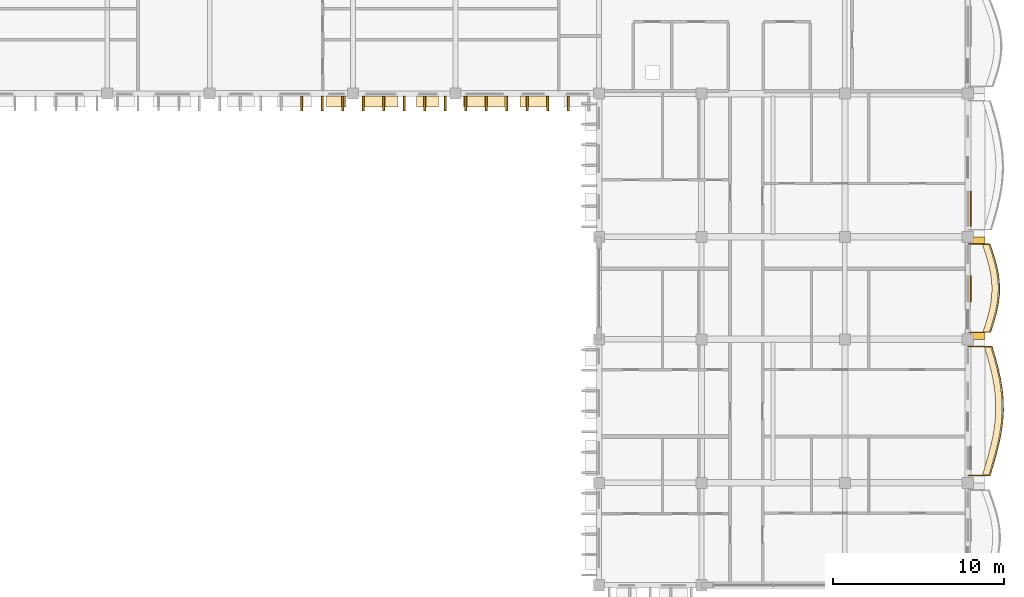
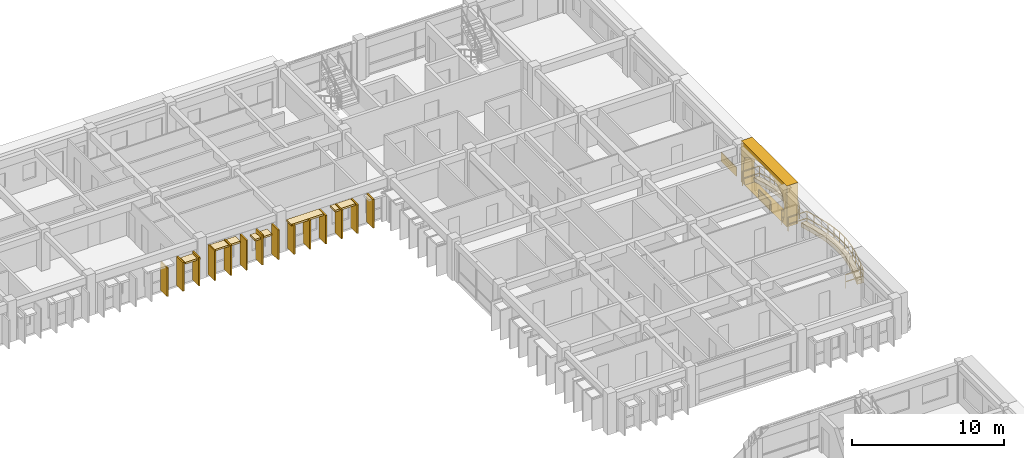
# One storey, part 72 of 76: 24 coverings, 2 railings.
"""IFC4 building model written with IfcOpenShell, lengths in metres."""

import ifcopenshell
import ifcopenshell.guid

model = None  # the IFC model being written
_history = None  # IfcOwnerHistory: only IFC2X3 demands one
_inside = {}  # id of a spatial element -> (the spatial element, [elements in it])
_under = {}  # id of a project, library or spatial element -> (it, [spatial elements below it])
_declared = {}  # id of a project -> (the project, [libraries it declares])
_typed = {}  # id of a type object -> (the type object, [elements of that type])
_made_of = {}  # id of a material, layer set ... -> (it, [elements and type objects made of it])


def new_model(schema):
    """Start an empty IFC model of exactly this schema.

    Asked for "IFC4X3", IfcOpenShell would pick the latest addendum, in which some entities
    have other attributes; the version numbers below select the first issue.
    IFC2X3 requires an IfcOwnerHistory on every rooted entity: one is made here for all.
    """
    global model, _history
    if schema == "IFC4X3":
        model = ifcopenshell.file(schema_version=(4, 3, 0, 0))
    else:
        model = ifcopenshell.file(schema=schema)
    _inside.clear()
    _under.clear()
    _declared.clear()
    _typed.clear()
    _made_of.clear()
    _history = None
    if model.schema == "IFC2X3":
        org = make("IfcOrganization", Name="unknown")
        user = make(
            "IfcPersonAndOrganization",
            ThePerson=make("IfcPerson", FamilyName="unknown"),
            TheOrganization=org,
        )
        app = make(
            "IfcApplication",
            ApplicationDeveloper=org,
            Version="unknown",
            ApplicationFullName="unknown",
            ApplicationIdentifier="unknown",
        )
        _history = make(
            "IfcOwnerHistory",
            OwningUser=user,
            OwningApplication=app,
            ChangeAction="ADDED",
            CreationDate=0,
        )
    return model


def make(cls, **values):
    """One entity of the class cls with the attributes given. An attribute that is None is left unset."""
    return model.create_entity(
        cls, **{name: value for name, value in values.items() if value is not None}
    )


def rooted(cls, **values):
    """An entity with a GlobalId (a new one), such as an element, a storey or a relation."""
    return make(cls, GlobalId=ifcopenshell.guid.new(), OwnerHistory=_history, **values)


def si_unit(unit_type, name, prefix=None):
    """IfcSIUnit, for example si_unit("LENGTHUNIT", "METRE", prefix="MILLI")."""
    return make("IfcSIUnit", UnitType=unit_type, Prefix=prefix, Name=name)


def assignment(units):
    """IfcUnitAssignment: the units of a project."""
    return None if units is None else make("IfcUnitAssignment", Units=units)


def point(xyz):
    """IfcCartesianPoint."""
    return None if xyz is None else make("IfcCartesianPoint", Coordinates=xyz)


def direction(xyz):
    """IfcDirection."""
    return None if xyz is None else make("IfcDirection", DirectionRatios=xyz)


def frame(location, z_axis=None, x_axis=None):
    """IfcAxis2Placement3D, a coordinate frame: its origin and axes. An axis left out is left unset."""
    return make(
        "IfcAxis2Placement3D",
        Location=point(location),
        Axis=direction(z_axis),
        RefDirection=direction(x_axis),
    )


def frame_2d(location, x_axis=None):
    """IfcAxis2Placement2D, a coordinate frame in the plane: its origin and x axis."""
    return make(
        "IfcAxis2Placement2D", Location=point(location), RefDirection=direction(x_axis)
    )


def origin():
    """The frame at (0, 0, 0) with its axes left unset."""
    return frame((0.0, 0.0, 0.0))


def origin_2d():
    """The frame at (0, 0) in the plane with its x axis left unset."""
    return frame_2d((0.0, 0.0))


def place(relative_to, where):
    """IfcLocalPlacement: puts the frame where relative to a parent placement (None: the world)."""
    return make(
        "IfcLocalPlacement", PlacementRelTo=relative_to, RelativePlacement=where
    )


def context(
    kind, dimensions, precision=None, world=None, true_north=None, identifier=None
):
    """IfcGeometricRepresentationContext, for example the 3D "Model" context."""
    return make(
        "IfcGeometricRepresentationContext",
        ContextIdentifier=identifier,
        ContextType=kind,
        CoordinateSpaceDimension=dimensions,
        Precision=precision,
        WorldCoordinateSystem=world,
        TrueNorth=true_north,
    )


def subcontext(parent, identifier, kind, view, scale=None):
    """IfcGeometricRepresentationSubContext, for example "Body" below "Model"."""
    return make(
        "IfcGeometricRepresentationSubContext",
        ContextIdentifier=identifier,
        ContextType=kind,
        ParentContext=parent,
        TargetScale=scale,
        TargetView=view,
    )


def project(units=None, contexts=None):
    """IfcProject with its units and contexts."""
    return rooted(
        "IfcProject",
        Name="project",
        RepresentationContexts=contexts,
        UnitsInContext=assignment(units),
    )


def spatial(cls, under=None, at=None, **own):
    """A site, building, storey or space (cls), placed at a placement, below another one or the project."""
    s = rooted(cls, ObjectPlacement=at, **own)
    if under is not None:
        _under.setdefault(under.id(), (under, []))[1].append(s)
    return s


def polyline(points):
    """IfcPolyline through the points."""
    return make("IfcPolyline", Points=[point(p) for p in points])


def profile(cls, at=None, kind="AREA", **sizes):
    """A parametric profile (cls). Its sizes go by their IFC names, for example OverallWidth=200.0."""
    return make(cls, ProfileType=kind, Position=at, **sizes)


def rectangle(**sizes):
    """IfcRectangleProfileDef."""
    return profile("IfcRectangleProfileDef", **sizes)


def outline(outer, holes=None, kind="AREA"):
    """IfcArbitraryClosedProfileDef: a profile drawn as a closed curve; with holes, ...WithVoids."""
    if holes is None:
        return make("IfcArbitraryClosedProfileDef", ProfileType=kind, OuterCurve=outer)
    return make(
        "IfcArbitraryProfileDefWithVoids",
        ProfileType=kind,
        OuterCurve=outer,
        InnerCurves=holes,
    )


def extrude(swept, where, along, depth):
    """IfcExtrudedAreaSolid: the profile swept, set in the frame where, extruded along a direction by depth."""
    return make(
        "IfcExtrudedAreaSolid",
        SweptArea=swept,
        Position=where,
        ExtrudedDirection=direction(along),
        Depth=depth,
    )


def shape(context_of_items, identifier, shape_type, items):
    """IfcShapeRepresentation: the items that make up one representation, for example the "Body"."""
    return make(
        "IfcShapeRepresentation",
        ContextOfItems=context_of_items,
        RepresentationIdentifier=identifier,
        RepresentationType=shape_type,
        Items=items,
    )


def material(Name=None, Category=None):
    """IfcMaterial."""
    return make("IfcMaterial", Name=Name, Category=Category)


def layer(
    of_material, thickness, ventilated=None, Name=None, Category=None, Priority=None
):
    """IfcMaterialLayer: one layer of a wall or slab, of a material (None: an air gap)."""
    return make(
        "IfcMaterialLayer",
        Material=of_material,
        LayerThickness=thickness,
        IsVentilated=ventilated,
        Name=Name,
        Category=Category,
        Priority=Priority,
    )


def layer_set(layers, Name=None):
    """IfcMaterialLayerSet."""
    return make("IfcMaterialLayerSet", MaterialLayers=layers, LayerSetName=Name)


def made_of(thing, what):
    """Note that an element or type object is made of a material, layer set ...; save() writes the relation."""
    if what is not None:
        _made_of.setdefault(what.id(), (what, []))[1].append(thing)
    return thing


def type_object(cls, material=None, **own):
    """A type object (cls), such as IfcWallType, which elements share."""
    return made_of(rooted(cls, **own), material)


def element(
    cls,
    number,
    at=None,
    inside=None,
    cuts=None,
    type_object=None,
    material=None,
    context=None,
    identifier="Body",
    shape_type=None,
    held_by="IfcProductDefinitionShape",
    body=None,
    shapes=None,
    **own,
):
    """One element of the class cls, such as IfcWall. Its Tag is "e" and its number.

    at: its placement. inside: the storey or other place that contains it. cuts: it is an
    opening in that element (IfcRelVoidsElement). A single representation is given by context,
    identifier, shape_type and body (its items); several are given by shapes. held_by: the class
    of the entity that holds the representations. save() writes the other relations.
    """
    e = rooted(cls, Tag="e%d" % number, ObjectPlacement=at, **own)
    if body is not None:
        shapes = [shape(context, identifier, shape_type, body)]
    if shapes is not None:
        e.Representation = make(held_by, Representations=shapes)
    if inside is not None:
        _inside.setdefault(inside.id(), (inside, []))[1].append(e)
    if cuts is not None:
        rooted(
            "IfcRelVoidsElement", RelatingBuildingElement=cuts, RelatedOpeningElement=e
        )
    if type_object is not None:
        _typed.setdefault(type_object.id(), (type_object, []))[1].append(e)
    return made_of(e, material)


def aggregate(whole, parts):
    """IfcRelAggregates: a whole, such as a stair, and the parts it consists of."""
    return rooted("IfcRelAggregates", RelatingObject=whole, RelatedObjects=parts)


def save(model, path):
    """Write the relations noted so far, then the file.

    IfcRelAggregates (storeys below a building ...), IfcRelContainedInSpatialStructure (elements
    in a storey), IfcRelDefinesByType, IfcRelAssociatesMaterial and IfcRelDeclares: one each for
    every whole, place, type object, material and project.
    """
    for whole, parts in _under.values():
        aggregate(whole, parts)
    for where, things in _inside.values():
        rooted(
            "IfcRelContainedInSpatialStructure",
            RelatedElements=things,
            RelatingStructure=where,
        )
    for kind, things in _typed.values():
        rooted("IfcRelDefinesByType", RelatedObjects=things, RelatingType=kind)
    for what, things in _made_of.values():
        rooted("IfcRelAssociatesMaterial", RelatedObjects=things, RelatingMaterial=what)
    for by, libraries in _declared.values():
        rooted("IfcRelDeclares", RelatingContext=by, RelatedDefinitions=libraries)
    model.write(path)


model = new_model("IFC4")

# Units and contexts
model_context = context("Model", 3, precision=1e-05, world=origin(), true_north=direction((0.0, 1.0)))
body_context = subcontext(model_context, "Body", "Model", "MODEL_VIEW")
ifc_project = project(units=[si_unit("LENGTHUNIT", "METRE"), si_unit("AREAUNIT", "SQUARE_METRE"), si_unit("VOLUMEUNIT", "CUBIC_METRE"), si_unit("PLANEANGLEUNIT", "RADIAN"), si_unit("MASSUNIT", "GRAM", prefix="KILO"), si_unit("THERMODYNAMICTEMPERATUREUNIT", "KELVIN")], contexts=[model_context])

# Site, building, storey
site_placement = place(None, origin())
site = spatial("IfcSite", under=ifc_project, at=site_placement, CompositionType="ELEMENT")
building_placement = place(site_placement, origin())
building = spatial("IfcBuilding", under=site, at=building_placement, Name="Thalorik Housing Commons", CompositionType="ELEMENT")
storey_placement = place(building_placement, frame((0.0, 0.0, 18.0)))
storey = spatial("IfcBuildingStorey", under=building, at=storey_placement, Name="L05", CompositionType="ELEMENT", Elevation=18.0)

# Coverings
ifc_material_1 = material(Name="Cobalt blue glazed ceramic facade tile panel", Category="masonry")
ifc_layer_1 = layer(ifc_material_1, 0.06005859375, Name="Cobalt blue glazed ceramic facade tile panel", Category="masonry")
ifc_layer_set_1 = layer_set([ifc_layer_1], Name="Cobalt blue glazed ceramic facade tile panel")
covering_type_1 = type_object("IfcCoveringType", Name="ARC-CLD-BLU-60", PredefinedType="CLADDING", material=ifc_layer_set_1)
covering_1_placement = place(storey_placement, frame((174.179931640625, 97.7548828125, 0.0498046875), z_axis=(0.0, 0.0, 1.0), x_axis=(0.0, 1.0, 0.0)))
element("IfcCovering", 1, at=covering_1_placement, inside=storey, type_object=covering_type_1, Name="L05 De Stijl Recessed Window Spandrel 2359", PredefinedType="CLADDING", context=body_context, shape_type="SweptSolid", body=[
    extrude(rectangle(XDim=1.52001953125, YDim=0.06005859375, at=origin_2d()), origin(), (0.0, 0.0, 1.0), 0.699951171875),
])
ifc_material_2 = material(Name="Precast concrete C40/50", Category="concrete")
ifc_layer_2 = layer(ifc_material_2, 0.85009765625, Name="Precast concrete C40/50", Category="concrete")
ifc_layer_set_2 = layer_set([ifc_layer_2], Name="Precast concrete C40/50")
covering_type_2 = type_object("IfcCoveringType", Name="ARC-CLD-CUSH-850", PredefinedType="CLADDING", material=ifc_layer_set_2)
covering_2_placement = place(storey_placement, frame((174.570068359375, 97.800048828125, 0.0), z_axis=(0.0, 0.0, 1.0), x_axis=(0.0, 1.0, 0.0)))
element("IfcCovering", 2, at=covering_2_placement, inside=storey, type_object=covering_type_2, Name="L05 White Precast Curved Cushion Bay Frame 2358", PredefinedType="CLADDING", context=body_context, shape_type="SweptSolid", body=[
    extrude(outline(polyline([(-3.0, 0.0), (3.0, 0.0), (3.0, 3.300048828125), (-3.0, 3.300048828125), (-3.0, 0.0)]), holes=[polyline([(2.52490234375, 0.02490234375), (2.625244140625, 0.394287109375), (2.685302734375, 0.76318359375), (2.70556640625, 1.132568359375), (2.685302734375, 1.501708984375), (2.625244140625, 1.870849609375), (2.52490234375, 2.239990234375), (2.112060546875, 2.4833984375), (1.69921875, 2.6748046875), (1.2861328125, 2.82958984375), (0.873291015625, 2.94482421875), (0.46044921875, 3.01611328125), (0.047607421875, 3.0400390625), (-0.365478515625, 3.01611328125), (-0.7783203125, 2.94482421875), (-1.19140625, 2.82958984375), (-1.604248046875, 2.6748046875), (-2.01708984375, 2.4833984375), (-2.429931640625, 2.239990234375), (-2.55029296875, 1.870849609375), (-2.62255859375, 1.501708984375), (-2.646484375, 1.132568359375), (-2.62255859375, 0.76318359375), (-2.55029296875, 0.394287109375), (-2.429931640625, 0.02490234375), (2.52490234375, 0.02490234375)])]), frame((0.0, 0.425048828125, 0.0), z_axis=(0.0, -1.0, 0.0), x_axis=(1.0, 0.0, 0.0)), (0.0, 0.0, 1.0), 0.85009765625),
])
ifc_layer_3 = layer(ifc_material_2, 0.85009765625, Name="Precast concrete C40/50", Category="concrete")
ifc_layer_set_3 = layer_set([ifc_layer_3], Name="Precast concrete C40/50")
covering_type_3 = type_object("IfcCoveringType", Name="ARC-CLD-FIN-850", PredefinedType="CLADDING", material=ifc_layer_set_3)
for number, where, z_axis, x_axis, name in (
    (3, (135.0, 108.6298828125, 0.0400390625), (0.0, 0.0, 1.0), (1.0, 0.0, 0.0), "L05 Courtyard Precast Vertical Brise-Soleil Fin 2289"),
    (4, (136.199951171875, 108.6298828125, 0.0400390625), (0.0, 0.0, 1.0), (1.0, 0.0, 0.0), "L05 Courtyard Precast Vertical Brise-Soleil Fin 2290"),
    (5, (137.39990234375, 108.6298828125, 0.0400390625), (0.0, 0.0, 1.0), (1.0, 0.0, 0.0), "L05 Courtyard Precast Vertical Brise-Soleil Fin 2291"),
):
    element("IfcCovering", number, at=place(storey_placement, frame(where, z_axis=z_axis, x_axis=x_axis)), inside=storey, type_object=covering_type_3, Name=name, PredefinedType="CLADDING", context=body_context, shape_type="SweptSolid", body=[
        extrude(rectangle(XDim=0.110107421875, YDim=0.85009765625, at=origin_2d()), origin(), (0.0, 0.0, 1.0), 2.294921875),
    ])
for number, where, z_axis, x_axis, name in (
    (6, (138.60009765625, 108.6298828125, 0.0400390625), (0.0, 0.0, 1.0), (1.0, 0.0, 0.0), "L05 Courtyard Precast Vertical Brise-Soleil Fin 2295"),
    (7, (139.800048828125, 108.6298828125, 0.0400390625), (0.0, 0.0, 1.0), (1.0, 0.0, 0.0), "L05 Courtyard Precast Vertical Brise-Soleil Fin 2296"),
    (8, (141.0, 108.6298828125, 0.0400390625), (0.0, 0.0, 1.0), (1.0, 0.0, 0.0), "L05 Courtyard Precast Vertical Brise-Soleil Fin 2297"),
    (9, (142.199951171875, 108.6298828125, 0.0400390625), (0.0, 0.0, 1.0), (1.0, 0.0, 0.0), "L05 Courtyard Precast Vertical Brise-Soleil Fin 2298"),
    (10, (143.39990234375, 108.6298828125, 0.0400390625), (0.0, 0.0, 1.0), (1.0, 0.0, 0.0), "L05 Courtyard Precast Vertical Brise-Soleil Fin 2299"),
):
    element("IfcCovering", number, at=place(storey_placement, frame(where, z_axis=z_axis, x_axis=x_axis)), inside=storey, type_object=covering_type_3, Name=name, PredefinedType="CLADDING", context=body_context, shape_type="SweptSolid", body=[
        extrude(rectangle(XDim=0.110107421875, YDim=0.85009765625, at=origin_2d()), origin(), (0.0, 0.0, 1.0), 2.39501953125),
    ])
for number, where, z_axis, x_axis, name in (
    (11, (144.60009765625, 108.6298828125, 0.0400390625), (0.0, 0.0, 1.0), (1.0, 0.0, 0.0), "L05 Courtyard Precast Vertical Brise-Soleil Fin 2302"),
    (12, (145.800048828125, 108.6298828125, 0.0400390625), (0.0, 0.0, 1.0), (1.0, 0.0, 0.0), "L05 Courtyard Precast Vertical Brise-Soleil Fin 2303"),
    (13, (147.0, 108.6298828125, 0.0400390625), (0.0, 0.0, 1.0), (1.0, 0.0, 0.0), "L05 Courtyard Precast Vertical Brise-Soleil Fin 2304"),
    (14, (148.199951171875, 108.6298828125, 0.0400390625), (0.0, 0.0, 1.0), (1.0, 0.0, 0.0), "L05 Courtyard Precast Vertical Brise-Soleil Fin 2305"),
    (15, (149.39990234375, 108.6298828125, 0.0400390625), (0.0, 0.0, 1.0), (1.0, 0.0, 0.0), "L05 Courtyard Precast Vertical Brise-Soleil Fin 2306"),
    (16, (150.60009765625, 108.6298828125, 0.0400390625), (0.0, 0.0, 1.0), (1.0, 0.0, 0.0), "L05 Courtyard Precast Vertical Brise-Soleil Fin 2307"),
):
    element("IfcCovering", number, at=place(storey_placement, frame(where, z_axis=z_axis, x_axis=x_axis)), inside=storey, type_object=covering_type_3, Name=name, PredefinedType="CLADDING", context=body_context, shape_type="SweptSolid", body=[
        extrude(rectangle(XDim=0.110107421875, YDim=0.85009765625, at=origin_2d()), origin(), (0.0, 0.0, 1.0), 2.294921875),
    ])
ifc_layer_4 = layer(ifc_material_2, 0.64990234375, Name="Precast concrete C40/50", Category="concrete")
ifc_layer_set_4 = layer_set([ifc_layer_4], Name="Precast concrete C40/50")
covering_type_4 = type_object("IfcCoveringType", Name="ARC-CLD-HOOD-650", PredefinedType="CLADDING", material=ifc_layer_set_4)
covering_3_placement = place(storey_placement, frame((137.017578125, 108.72998046875, 1.990234375), z_axis=(0.0, 0.0, 1.0), x_axis=(1.0, 0.0, 0.0)))
element("IfcCovering", 17, at=covering_3_placement, inside=storey, type_object=covering_type_4, Name="L05 Courtyard Precast Window Sun-Hood 2294", PredefinedType="CLADDING", context=body_context, shape_type="SweptSolid", body=[
    extrude(rectangle(XDim=1.139892578125, YDim=0.64990234375, at=origin_2d()), origin(), (0.0, 0.0, 1.0), 0.139892578125),
])
covering_4_placement = place(storey_placement, frame((139.6298828125, 108.72998046875, 2.240234375), z_axis=(0.0, 0.0, 1.0), x_axis=(1.0, 0.0, 0.0)))
element("IfcCovering", 18, at=covering_4_placement, inside=storey, type_object=covering_type_4, Name="L05 Courtyard Precast Window Sun-Hood 2300", PredefinedType="CLADDING", context=body_context, shape_type="SweptSolid", body=[
    extrude(rectangle(XDim=1.989990234375, YDim=0.64990234375, at=origin_2d()), origin(), (0.0, 0.0, 1.0), 0.139892578125),
])
covering_5_placement = place(storey_placement, frame((142.3701171875, 108.72998046875, 1.990234375), z_axis=(0.0, 0.0, 1.0), x_axis=(1.0, 0.0, 0.0)))
element("IfcCovering", 19, at=covering_5_placement, inside=storey, type_object=covering_type_4, Name="L05 Courtyard Precast Window Sun-Hood 2301", PredefinedType="CLADDING", context=body_context, shape_type="SweptSolid", body=[
    extrude(rectangle(XDim=1.2900390625, YDim=0.64990234375, at=origin_2d()), origin(), (0.0, 0.0, 1.0), 0.139892578125),
])
covering_6_placement = place(storey_placement, frame((145.68994140625, 108.72998046875, 2.22509765625), z_axis=(0.0, 0.0, 1.0), x_axis=(1.0, 0.0, 0.0)))
element("IfcCovering", 20, at=covering_6_placement, inside=storey, type_object=covering_type_4, Name="L05 Courtyard Precast Window Sun-Hood 2309", PredefinedType="CLADDING", context=body_context, shape_type="SweptSolid", body=[
    extrude(rectangle(XDim=2.419921875, YDim=0.64990234375, at=origin_2d()), origin(), (0.0, 0.0, 1.0), 0.139892578125),
])
covering_7_placement = place(storey_placement, frame((148.550048828125, 108.72998046875, 2.18994140625), z_axis=(0.0, 0.0, 1.0), x_axis=(1.0, 0.0, 0.0)))
element("IfcCovering", 21, at=covering_7_placement, inside=storey, type_object=covering_type_4, Name="L05 Courtyard Precast Window Sun-Hood 2310", PredefinedType="CLADDING", context=body_context, shape_type="SweptSolid", body=[
    extrude(rectangle(XDim=1.5400390625, YDim=0.64990234375, at=origin_2d()), origin(), (0.0, 0.0, 1.0), 0.139892578125),
])
ifc_material_3 = material(Name="Mineral ochre architectural terracotta panel", Category="masonry")
ifc_layer_5 = layer(ifc_material_3, 0.06494140625, Name="Mineral ochre architectural terracotta panel", Category="masonry")
ifc_layer_set_5 = layer_set([ifc_layer_5], Name="Mineral ochre architectural terracotta panel")
covering_type_5 = type_object("IfcCoveringType", Name="ARC-CLD-YEL-65", PredefinedType="CLADDING", material=ifc_layer_set_5)
covering_8_placement = place(storey_placement, frame((174.1826171875, 102.4609375, 0.0498046875), z_axis=(0.0, 0.0, 1.0), x_axis=(0.0, 1.0, 0.0)))
element("IfcCovering", 22, at=covering_8_placement, inside=storey, type_object=covering_type_5, Name="L05 De Stijl Recessed Window Spandrel 2361", PredefinedType="CLADDING", context=body_context, shape_type="SweptSolid", body=[
    extrude(rectangle(XDim=2.0400390625, YDim=0.06494140625, at=origin_2d()), origin(), (0.0, 0.0, 1.0), 0.699951171875),
])
ifc_material_4 = material(Name="Planted vegetated substrate and terracotta trough", Category="masonry")
ifc_layer_6 = layer(ifc_material_4, 0.340087890625, Name="Planted vegetated substrate and terracotta trough", Category="masonry")
ifc_layer_set_6 = layer_set([ifc_layer_6], Name="Planted vegetated substrate and terracotta trough")
covering_type_6 = type_object("IfcCoveringType", Name="ARC-COV-PLANTER", PredefinedType="USERDEFINED", material=ifc_layer_set_6)
covering_9_placement = place(storey_placement, origin())
element("IfcCovering", 23, at=covering_9_placement, inside=storey, type_object=covering_type_6, Name="L05 Balcony Slab-Edge Planted Trough 5482", ObjectType="PLANTER", PredefinedType="USERDEFINED", context=body_context, shape_type="SweptSolid", body=[
    extrude(outline(polyline([(175.231689453125, 86.820068359375), (175.419189453125, 87.449951171875), (175.598876953125, 88.080078125), (175.758056640625, 88.7099609375), (175.8857421875, 89.340087890625), (175.97314453125, 89.969970703125), (176.01416015625, 90.60009765625), (176.005615234375, 91.22998046875), (175.947998046875, 91.860107421875), (175.845458984375, 92.489990234375), (175.704833984375, 93.1201171875), (175.535888671875, 93.75), (175.35009765625, 94.3798828125), (174.97021484375, 94.3798828125), (175.156005859375, 93.75), (175.32470703125, 93.1201171875), (175.46533203125, 92.489990234375), (175.568115234375, 91.860107421875), (175.62548828125, 91.22998046875), (175.634033203125, 90.60009765625), (175.59326171875, 89.969970703125), (175.505859375, 89.340087890625), (175.3779296875, 88.7099609375), (175.21875, 88.080078125), (175.0390625, 87.449951171875), (174.8515625, 86.820068359375), (175.231689453125, 86.820068359375)])), origin(), (0.0, 0.0, 1.0), 0.340087890625),
])
covering_10_placement = place(storey_placement, origin())
element("IfcCovering", 24, at=covering_10_placement, inside=storey, type_object=covering_type_6, Name="L05 Balcony Slab-Edge Planted Trough 5483", ObjectType="PLANTER", PredefinedType="USERDEFINED", context=body_context, shape_type="SweptSolid", body=[
    extrude(outline(polyline([(175.26220703125, 95.219970703125), (175.400146484375, 95.64990234375), (175.529296875, 96.080078125), (175.640380859375, 96.510009765625), (175.724853515625, 96.93994140625), (175.777099609375, 97.3701171875), (175.79296875, 97.800048828125), (175.771240234375, 98.22998046875), (175.71337890625, 98.659912109375), (175.623779296875, 99.090087890625), (175.508056640625, 99.52001953125), (175.375, 99.949951171875), (175.234130859375, 100.3798828125), (174.854248046875, 100.3798828125), (174.9951171875, 99.949951171875), (175.128173828125, 99.52001953125), (175.24365234375, 99.090087890625), (175.33349609375, 98.659912109375), (175.391357421875, 98.22998046875), (175.4130859375, 97.800048828125), (175.397216796875, 97.3701171875), (175.344970703125, 96.93994140625), (175.26025390625, 96.510009765625), (175.1494140625, 96.080078125), (175.020263671875, 95.64990234375), (174.882080078125, 95.219970703125), (175.26220703125, 95.219970703125)])), origin(), (0.0, 0.0, 1.0), 0.340087890625),
])

# Railings
ifc_material_5 = material(Name="Steel S355", Category="steel")
railing_type_1 = type_object("IfcRailingType", Name="ARC-RL-BAL-112", PredefinedType="BALUSTRADE", material=ifc_material_5)
railing_1_placement = place(storey_placement, frame((174.0, 86.820068359375, 0.0)))
element("IfcRailing", 25, at=railing_1_placement, inside=storey, type_object=railing_type_1, Name="L05 Cushion Balcony Guardrail 166", PredefinedType="BALUSTRADE", context=body_context, shape_type="SweptSolid", body=[
    extrude(rectangle(XDim=0.050048828125, YDim=0.050048828125, at=origin_2d()), frame((0.0, 0.0, 1.09521484375), z_axis=(1.0, 0.0, 0.0), x_axis=(0.0, 1.0, 0.0)), (0.0, 0.0, 1.0), 1.301513671875),
    extrude(rectangle(XDim=0.050048828125, YDim=0.050048828125, at=origin_2d()), frame((0.0, 0.0, 0.53515625), z_axis=(1.0, 0.0, 0.0), x_axis=(0.0, 1.0, 0.0)), (0.0, 0.0, 1.0), 1.301513671875),
    extrude(rectangle(XDim=0.050048828125, YDim=0.050048828125, at=origin_2d()), frame((1.301513671875, 0.0, 1.09521484375), z_axis=(0.285302345782, 0.958437567863, 0.0), x_axis=(-0.958437567863, 0.285302345782, 0.0)), (0.0, 0.0, 1.0), 0.6572265625),
    extrude(rectangle(XDim=0.050048828125, YDim=0.050048828125, at=origin_2d()), frame((1.301513671875, 0.0, 0.53515625), z_axis=(0.285302345782, 0.958437567863, 0.0), x_axis=(-0.958437567863, 0.285302345782, 0.0)), (0.0, 0.0, 1.0), 0.6572265625),
    extrude(rectangle(XDim=0.050048828125, YDim=0.050048828125, at=origin_2d()), frame((1.489013671875, 0.6298828125, 1.09521484375), z_axis=(0.274228986988, 0.96166442312, 0.0), x_axis=(-0.96166442312, 0.274228986988, 0.0)), (0.0, 0.0, 1.0), 0.6552734375),
    extrude(rectangle(XDim=0.050048828125, YDim=0.050048828125, at=origin_2d()), frame((1.489013671875, 0.6298828125, 0.53515625), z_axis=(0.274228986988, 0.96166442312, 0.0), x_axis=(-0.96166442312, 0.274228986988, 0.0)), (0.0, 0.0, 1.0), 0.6552734375),
    extrude(rectangle(XDim=0.050048828125, YDim=0.050048828125, at=origin_2d()), frame((1.668701171875, 1.260009765625, 1.09521484375), z_axis=(0.245010582788, 0.969520404283, 0.0), x_axis=(-0.969520404283, 0.245010582788, 0.0)), (0.0, 0.0, 1.0), 0.649658203125),
    extrude(rectangle(XDim=0.050048828125, YDim=0.050048828125, at=origin_2d()), frame((1.668701171875, 1.260009765625, 0.53515625), z_axis=(0.245010582788, 0.969520404283, 0.0), x_axis=(-0.969520404283, 0.245010582788, 0.0)), (0.0, 0.0, 1.0), 0.649658203125),
    extrude(rectangle(XDim=0.050048828125, YDim=0.050048828125, at=origin_2d()), frame((1.827880859375, 1.889892578125, 1.09521484375), z_axis=(0.198963061854, 0.98000698978, 0.0), x_axis=(-0.98000698978, 0.198963061854, 0.0)), (0.0, 0.0, 1.0), 0.64306640625),
    extrude(rectangle(XDim=0.050048828125, YDim=0.050048828125, at=origin_2d()), frame((1.827880859375, 1.889892578125, 0.53515625), z_axis=(0.198963061854, 0.98000698978, 0.0), x_axis=(-0.98000698978, 0.198963061854, 0.0)), (0.0, 0.0, 1.0), 0.64306640625),
    extrude(rectangle(XDim=0.050048828125, YDim=0.050048828125, at=origin_2d()), frame((1.955810546875, 2.52001953125, 1.09521484375), z_axis=(0.137442819233, 0.990509702851, 0.0), x_axis=(-0.990509702851, 0.137442819233, 0.0)), (0.0, 0.0, 1.0), 0.635986328125),
    extrude(rectangle(XDim=0.050048828125, YDim=0.050048828125, at=origin_2d()), frame((1.955810546875, 2.52001953125, 0.53515625), z_axis=(0.137442819233, 0.990509702851, 0.0), x_axis=(-0.990509702851, 0.137442819233, 0.0)), (0.0, 0.0, 1.0), 0.635986328125),
    extrude(rectangle(XDim=0.050048828125, YDim=0.050048828125, at=origin_2d()), frame((2.043212890625, 3.14990234375, 1.09521484375), z_axis=(0.064568584417, 0.997913271736, 0.0), x_axis=(-0.997913271736, 0.064568584417, 0.0)), (0.0, 0.0, 1.0), 0.63134765625),
    extrude(rectangle(XDim=0.050048828125, YDim=0.050048828125, at=origin_2d()), frame((2.043212890625, 3.14990234375, 0.53515625), z_axis=(0.064568584417, 0.997913271736, 0.0), x_axis=(-0.997913271736, 0.064568584417, 0.0)), (0.0, 0.0, 1.0), 0.63134765625),
    extrude(rectangle(XDim=0.050048828125, YDim=0.050048828125, at=origin_2d()), frame((2.083984375, 3.780029296875, 1.09521484375), z_axis=(-0.013564643356, 0.999907995993, 0.0), x_axis=(-0.999907995993, -0.013564643356, 0.0)), (0.0, 0.0, 1.0), 0.6298828125),
    extrude(rectangle(XDim=0.050048828125, YDim=0.050048828125, at=origin_2d()), frame((2.083984375, 3.780029296875, 0.53515625), z_axis=(-0.013564643356, 0.999907995993, 0.0), x_axis=(-0.999907995993, -0.013564643356, 0.0)), (0.0, 0.0, 1.0), 0.6298828125),
    extrude(rectangle(XDim=0.050048828125, YDim=0.050048828125, at=origin_2d()), frame((2.075439453125, 4.409912109375, 1.09521484375), z_axis=(-0.090674904412, 0.995880545904, 0.0), x_axis=(-0.995880545904, -0.090674904412, 0.0)), (0.0, 0.0, 1.0), 0.6328125),
    extrude(rectangle(XDim=0.050048828125, YDim=0.050048828125, at=origin_2d()), frame((2.075439453125, 4.409912109375, 0.53515625), z_axis=(-0.090674904412, 0.995880545904, 0.0), x_axis=(-0.995880545904, -0.090674904412, 0.0)), (0.0, 0.0, 1.0), 0.6328125),
    extrude(rectangle(XDim=0.050048828125, YDim=0.050048828125, at=origin_2d()), frame((2.01806640625, 5.0400390625, 1.09521484375), z_axis=(-0.161048252211, 0.986946533739, 0.0), x_axis=(-0.986946533739, -0.161048252211, 0.0)), (0.0, 0.0, 1.0), 0.63818359375),
    extrude(rectangle(XDim=0.050048828125, YDim=0.050048828125, at=origin_2d()), frame((2.01806640625, 5.0400390625, 0.53515625), z_axis=(-0.161048252211, 0.986946533739, 0.0), x_axis=(-0.986946533739, -0.161048252211, 0.0)), (0.0, 0.0, 1.0), 0.63818359375),
    extrude(rectangle(XDim=0.050048828125, YDim=0.050048828125, at=origin_2d()), frame((1.915283203125, 5.669921875, 1.09521484375), z_axis=(-0.217450974578, 0.976071244149, 0.0), x_axis=(-0.976071244149, -0.217450974578, 0.0)), (0.0, 0.0, 1.0), 0.6455078125),
    extrude(rectangle(XDim=0.050048828125, YDim=0.050048828125, at=origin_2d()), frame((1.915283203125, 5.669921875, 0.53515625), z_axis=(-0.217450974578, 0.976071244149, 0.0), x_axis=(-0.976071244149, -0.217450974578, 0.0)), (0.0, 0.0, 1.0), 0.6455078125),
    extrude(rectangle(XDim=0.050048828125, YDim=0.050048828125, at=origin_2d()), frame((1.77490234375, 6.300048828125, 1.09521484375), z_axis=(-0.259060423575, 0.965861116795, 0.0), x_axis=(-0.965861116795, -0.259060423575, 0.0)), (0.0, 0.0, 1.0), 0.652099609375),
    extrude(rectangle(XDim=0.050048828125, YDim=0.050048828125, at=origin_2d()), frame((1.77490234375, 6.300048828125, 0.53515625), z_axis=(-0.259060423575, 0.965861116795, 0.0), x_axis=(-0.965861116795, -0.259060423575, 0.0)), (0.0, 0.0, 1.0), 0.652099609375),
    extrude(rectangle(XDim=0.050048828125, YDim=0.050048828125, at=origin_2d()), frame((1.60595703125, 6.929931640625, 1.09521484375), z_axis=(-0.282910947107, 0.959146180729, 0.0), x_axis=(-0.959146180729, -0.282910947107, 0.0)), (0.0, 0.0, 1.0), 0.65673828125),
    extrude(rectangle(XDim=0.050048828125, YDim=0.050048828125, at=origin_2d()), frame((1.60595703125, 6.929931640625, 0.53515625), z_axis=(-0.282910947107, 0.959146180729, 0.0), x_axis=(-0.959146180729, -0.282910947107, 0.0)), (0.0, 0.0, 1.0), 0.65673828125),
    extrude(rectangle(XDim=0.050048828125, YDim=0.050048828125, at=origin_2d()), frame((1.420166015625, 7.559814453125, 1.09521484375), z_axis=(-1.0, 0.0, 0.0), x_axis=(0.0, -1.0, 0.0)), (0.0, 0.0, 1.0), 1.420166015625),
    extrude(rectangle(XDim=0.050048828125, YDim=0.050048828125, at=origin_2d()), frame((1.420166015625, 7.559814453125, 0.53515625), z_axis=(-1.0, 0.0, 0.0), x_axis=(0.0, -1.0, 0.0)), (0.0, 0.0, 1.0), 1.420166015625),
    extrude(rectangle(XDim=0.0419921875, YDim=0.0419921875, at=origin_2d()), origin(), (0.0, 0.0, 1.0), 1.070068359375),
    extrude(rectangle(XDim=0.0419921875, YDim=0.0419921875, at=origin_2d()), frame((1.301513671875, 0.0, 0.0)), (0.0, 0.0, 1.0), 1.070068359375),
    extrude(rectangle(XDim=0.0419921875, YDim=0.0419921875, at=origin_2d()), frame((1.489013671875, 0.6298828125, 0.0)), (0.0, 0.0, 1.0), 1.070068359375),
    extrude(rectangle(XDim=0.0419921875, YDim=0.0419921875, at=origin_2d()), frame((1.668701171875, 1.260009765625, 0.0)), (0.0, 0.0, 1.0), 1.070068359375),
    extrude(rectangle(XDim=0.0419921875, YDim=0.0419921875, at=origin_2d()), frame((1.827880859375, 1.889892578125, 0.0)), (0.0, 0.0, 1.0), 1.070068359375),
    extrude(rectangle(XDim=0.0419921875, YDim=0.0419921875, at=origin_2d()), frame((1.955810546875, 2.52001953125, 0.0)), (0.0, 0.0, 1.0), 1.070068359375),
    extrude(rectangle(XDim=0.0419921875, YDim=0.0419921875, at=origin_2d()), frame((2.043212890625, 3.14990234375, 0.0)), (0.0, 0.0, 1.0), 1.070068359375),
    extrude(rectangle(XDim=0.0419921875, YDim=0.0419921875, at=origin_2d()), frame((2.083984375, 3.780029296875, 0.0)), (0.0, 0.0, 1.0), 1.070068359375),
    extrude(rectangle(XDim=0.0419921875, YDim=0.0419921875, at=origin_2d()), frame((2.075439453125, 4.409912109375, 0.0)), (0.0, 0.0, 1.0), 1.070068359375),
    extrude(rectangle(XDim=0.0419921875, YDim=0.0419921875, at=origin_2d()), frame((2.01806640625, 5.0400390625, 0.0)), (0.0, 0.0, 1.0), 1.070068359375),
    extrude(rectangle(XDim=0.0419921875, YDim=0.0419921875, at=origin_2d()), frame((1.915283203125, 5.669921875, 0.0)), (0.0, 0.0, 1.0), 1.070068359375),
    extrude(rectangle(XDim=0.0419921875, YDim=0.0419921875, at=origin_2d()), frame((1.77490234375, 6.300048828125, 0.0)), (0.0, 0.0, 1.0), 1.070068359375),
    extrude(rectangle(XDim=0.0419921875, YDim=0.0419921875, at=origin_2d()), frame((1.60595703125, 6.929931640625, 0.0)), (0.0, 0.0, 1.0), 1.070068359375),
    extrude(rectangle(XDim=0.0419921875, YDim=0.0419921875, at=origin_2d()), frame((1.420166015625, 7.559814453125, 0.0)), (0.0, 0.0, 1.0), 1.070068359375),
    extrude(rectangle(XDim=0.0419921875, YDim=0.0419921875, at=origin_2d()), frame((0.0, 7.559814453125, 0.0)), (0.0, 0.0, 1.0), 1.070068359375),
])
railing_type_2 = type_object("IfcRailingType", Name="ARC-RL-BAL-115", PredefinedType="BALUSTRADE", material=ifc_material_5)
railing_2_placement = place(storey_placement, frame((174.0, 95.219970703125, 0.0)))
element("IfcRailing", 26, at=railing_2_placement, inside=storey, type_object=railing_type_2, Name="L05 Cushion Balcony Guardrail 167", PredefinedType="BALUSTRADE", context=body_context, shape_type="SweptSolid", body=[
    extrude(rectangle(XDim=0.050048828125, YDim=0.050048828125, at=origin_2d()), frame((0.0, 0.0, 1.125), z_axis=(1.0, 0.0, 0.0), x_axis=(0.0, 1.0, 0.0)), (0.0, 0.0, 1.0), 1.332275390625),
    extrude(rectangle(XDim=0.050048828125, YDim=0.050048828125, at=origin_2d()), frame((0.0, 0.0, 0.5498046875), z_axis=(1.0, 0.0, 0.0), x_axis=(0.0, 1.0, 0.0)), (0.0, 0.0, 1.0), 1.332275390625),
    extrude(rectangle(XDim=0.050048828125, YDim=0.050048828125, at=origin_2d()), frame((1.332275390625, 0.0, 1.125), z_axis=(0.305501556453, 0.95219157684, 0.0), x_axis=(-0.95219157684, 0.305501556453, 0.0)), (0.0, 0.0, 1.0), 0.451416015625),
    extrude(rectangle(XDim=0.050048828125, YDim=0.050048828125, at=origin_2d()), frame((1.332275390625, 0.0, 0.5498046875), z_axis=(0.305501556453, 0.95219157684, 0.0), x_axis=(-0.95219157684, 0.305501556453, 0.0)), (0.0, 0.0, 1.0), 0.451416015625),
    extrude(rectangle(XDim=0.050048828125, YDim=0.050048828125, at=origin_2d()), frame((1.47021484375, 0.429931640625, 1.125), z_axis=(0.287547353748, 0.957766422126, 0.0), x_axis=(-0.957766422126, 0.287547353748, 0.0)), (0.0, 0.0, 1.0), 0.44921875),
    extrude(rectangle(XDim=0.050048828125, YDim=0.050048828125, at=origin_2d()), frame((1.47021484375, 0.429931640625, 0.5498046875), z_axis=(0.287547353748, 0.957766422126, 0.0), x_axis=(-0.957766422126, 0.287547353748, 0.0)), (0.0, 0.0, 1.0), 0.44921875),
    extrude(rectangle(XDim=0.050048828125, YDim=0.050048828125, at=origin_2d()), frame((1.599365234375, 0.860107421875, 1.125), z_axis=(0.249645184872, 0.968337380085, 0.0), x_axis=(-0.968337380085, 0.249645184872, 0.0)), (0.0, 0.0, 1.0), 0.444091796875),
    extrude(rectangle(XDim=0.050048828125, YDim=0.050048828125, at=origin_2d()), frame((1.599365234375, 0.860107421875, 0.5498046875), z_axis=(0.249645184872, 0.968337380085, 0.0), x_axis=(-0.968337380085, 0.249645184872, 0.0)), (0.0, 0.0, 1.0), 0.444091796875),
    extrude(rectangle(XDim=0.050048828125, YDim=0.050048828125, at=origin_2d()), frame((1.710205078125, 1.2900390625, 1.125), z_axis=(0.193329614425, 0.98113386456, 0.0), x_axis=(-0.98113386456, 0.193329614425, 0.0)), (0.0, 0.0, 1.0), 0.438232421875),
    extrude(rectangle(XDim=0.050048828125, YDim=0.050048828125, at=origin_2d()), frame((1.710205078125, 1.2900390625, 0.5498046875), z_axis=(0.193329614425, 0.98113386456, 0.0), x_axis=(-0.98113386456, 0.193329614425, 0.0)), (0.0, 0.0, 1.0), 0.438232421875),
    extrude(rectangle(XDim=0.050048828125, YDim=0.050048828125, at=origin_2d()), frame((1.794921875, 1.719970703125, 1.125), z_axis=(0.120566920088, 0.99270520185, 0.0), x_axis=(-0.99270520185, 0.120566920088, 0.0)), (0.0, 0.0, 1.0), 0.433349609375),
    extrude(rectangle(XDim=0.050048828125, YDim=0.050048828125, at=origin_2d()), frame((1.794921875, 1.719970703125, 0.5498046875), z_axis=(0.120566920088, 0.99270520185, 0.0), x_axis=(-0.99270520185, 0.120566920088, 0.0)), (0.0, 0.0, 1.0), 0.433349609375),
    extrude(rectangle(XDim=0.050048828125, YDim=0.050048828125, at=origin_2d()), frame((1.84716796875, 2.150146484375, 1.125), z_axis=(0.03688572791, 0.999319489991, 0.0), x_axis=(-0.999319489991, 0.03688572791, 0.0)), (0.0, 0.0, 1.0), 0.43017578125),
    extrude(rectangle(XDim=0.050048828125, YDim=0.050048828125, at=origin_2d()), frame((1.84716796875, 2.150146484375, 0.5498046875), z_axis=(0.03688572791, 0.999319489991, 0.0), x_axis=(-0.999319489991, 0.03688572791, 0.0)), (0.0, 0.0, 1.0), 0.43017578125),
    extrude(rectangle(XDim=0.050048828125, YDim=0.050048828125, at=origin_2d()), frame((1.863037109375, 2.580078125, 1.125), z_axis=(-0.050475044693, 0.99872532253, 0.0), x_axis=(-0.99872532253, -0.050475044693, 0.0)), (0.0, 0.0, 1.0), 0.430419921875),
    extrude(rectangle(XDim=0.050048828125, YDim=0.050048828125, at=origin_2d()), frame((1.863037109375, 2.580078125, 0.5498046875), z_axis=(-0.050475044693, 0.99872532253, 0.0), x_axis=(-0.99872532253, -0.050475044693, 0.0)), (0.0, 0.0, 1.0), 0.430419921875),
    extrude(rectangle(XDim=0.050048828125, YDim=0.050048828125, at=origin_2d()), frame((1.84130859375, 3.010009765625, 1.125), z_axis=(-0.133380121586, 0.99106495406, 0.0), x_axis=(-0.99106495406, -0.133380121586, 0.0)), (0.0, 0.0, 1.0), 0.433837890625),
    extrude(rectangle(XDim=0.050048828125, YDim=0.050048828125, at=origin_2d()), frame((1.84130859375, 3.010009765625, 0.5498046875), z_axis=(-0.133380121586, 0.99106495406, 0.0), x_axis=(-0.99106495406, -0.133380121586, 0.0)), (0.0, 0.0, 1.0), 0.433837890625),
    extrude(rectangle(XDim=0.050048828125, YDim=0.050048828125, at=origin_2d()), frame((1.783447265625, 3.43994140625, 1.125), z_axis=(-0.204442299074, 0.97887861676, 0.0), x_axis=(-0.97887861676, -0.204442299074, 0.0)), (0.0, 0.0, 1.0), 0.439453125),
    extrude(rectangle(XDim=0.050048828125, YDim=0.050048828125, at=origin_2d()), frame((1.783447265625, 3.43994140625, 0.5498046875), z_axis=(-0.204442299074, 0.97887861676, 0.0), x_axis=(-0.97887861676, -0.204442299074, 0.0)), (0.0, 0.0, 1.0), 0.439453125),
    extrude(rectangle(XDim=0.050048828125, YDim=0.050048828125, at=origin_2d()), frame((1.693603515625, 3.8701171875, 1.125), z_axis=(-0.259403070395, 0.965769147918, 0.0), x_axis=(-0.965769147918, -0.259403070395, 0.0)), (0.0, 0.0, 1.0), 0.445068359375),
    extrude(rectangle(XDim=0.050048828125, YDim=0.050048828125, at=origin_2d()), frame((1.693603515625, 3.8701171875, 0.5498046875), z_axis=(-0.259403070395, 0.965769147918, 0.0), x_axis=(-0.965769147918, -0.259403070395, 0.0)), (0.0, 0.0, 1.0), 0.445068359375),
    extrude(rectangle(XDim=0.050048828125, YDim=0.050048828125, at=origin_2d()), frame((1.578125, 4.300048828125, 1.125), z_axis=(-0.295648367427, 0.955296834935, 0.0), x_axis=(-0.955296834935, -0.295648367427, 0.0)), (0.0, 0.0, 1.0), 0.449951171875),
    extrude(rectangle(XDim=0.050048828125, YDim=0.050048828125, at=origin_2d()), frame((1.578125, 4.300048828125, 0.5498046875), z_axis=(-0.295648367427, 0.955296834935, 0.0), x_axis=(-0.955296834935, -0.295648367427, 0.0)), (0.0, 0.0, 1.0), 0.449951171875),
    extrude(rectangle(XDim=0.050048828125, YDim=0.050048828125, at=origin_2d()), frame((1.445068359375, 4.72998046875, 1.125), z_axis=(-0.311366945332, 0.950289758629, 0.0), x_axis=(-0.950289758629, -0.311366945332, 0.0)), (0.0, 0.0, 1.0), 0.452392578125),
    extrude(rectangle(XDim=0.050048828125, YDim=0.050048828125, at=origin_2d()), frame((1.445068359375, 4.72998046875, 0.5498046875), z_axis=(-0.311366945332, 0.950289758629, 0.0), x_axis=(-0.950289758629, -0.311366945332, 0.0)), (0.0, 0.0, 1.0), 0.452392578125),
    extrude(rectangle(XDim=0.050048828125, YDim=0.050048828125, at=origin_2d()), frame((1.30419921875, 5.159912109375, 1.125), z_axis=(-1.0, 0.0, 0.0), x_axis=(0.0, -1.0, 0.0)), (0.0, 0.0, 1.0), 1.30419921875),
    extrude(rectangle(XDim=0.050048828125, YDim=0.050048828125, at=origin_2d()), frame((1.30419921875, 5.159912109375, 0.5498046875), z_axis=(-1.0, 0.0, 0.0), x_axis=(0.0, -1.0, 0.0)), (0.0, 0.0, 1.0), 1.30419921875),
    extrude(rectangle(XDim=0.0419921875, YDim=0.0419921875, at=origin_2d()), origin(), (0.0, 0.0, 1.0), 1.099853515625),
    extrude(rectangle(XDim=0.0419921875, YDim=0.0419921875, at=origin_2d()), frame((1.332275390625, 0.0, 0.0)), (0.0, 0.0, 1.0), 1.099853515625),
    extrude(rectangle(XDim=0.0419921875, YDim=0.0419921875, at=origin_2d()), frame((1.47021484375, 0.429931640625, 0.0)), (0.0, 0.0, 1.0), 1.099853515625),
    extrude(rectangle(XDim=0.0419921875, YDim=0.0419921875, at=origin_2d()), frame((1.599365234375, 0.860107421875, 0.0)), (0.0, 0.0, 1.0), 1.099853515625),
    extrude(rectangle(XDim=0.0419921875, YDim=0.0419921875, at=origin_2d()), frame((1.710205078125, 1.2900390625, 0.0)), (0.0, 0.0, 1.0), 1.099853515625),
    extrude(rectangle(XDim=0.0419921875, YDim=0.0419921875, at=origin_2d()), frame((1.794921875, 1.719970703125, 0.0)), (0.0, 0.0, 1.0), 1.099853515625),
    extrude(rectangle(XDim=0.0419921875, YDim=0.0419921875, at=origin_2d()), frame((1.84716796875, 2.150146484375, 0.0)), (0.0, 0.0, 1.0), 1.099853515625),
    extrude(rectangle(XDim=0.0419921875, YDim=0.0419921875, at=origin_2d()), frame((1.863037109375, 2.580078125, 0.0)), (0.0, 0.0, 1.0), 1.099853515625),
    extrude(rectangle(XDim=0.0419921875, YDim=0.0419921875, at=origin_2d()), frame((1.84130859375, 3.010009765625, 0.0)), (0.0, 0.0, 1.0), 1.099853515625),
    extrude(rectangle(XDim=0.0419921875, YDim=0.0419921875, at=origin_2d()), frame((1.783447265625, 3.43994140625, 0.0)), (0.0, 0.0, 1.0), 1.099853515625),
    extrude(rectangle(XDim=0.0419921875, YDim=0.0419921875, at=origin_2d()), frame((1.693603515625, 3.8701171875, 0.0)), (0.0, 0.0, 1.0), 1.099853515625),
    extrude(rectangle(XDim=0.0419921875, YDim=0.0419921875, at=origin_2d()), frame((1.578125, 4.300048828125, 0.0)), (0.0, 0.0, 1.0), 1.099853515625),
    extrude(rectangle(XDim=0.0419921875, YDim=0.0419921875, at=origin_2d()), frame((1.445068359375, 4.72998046875, 0.0)), (0.0, 0.0, 1.0), 1.099853515625),
    extrude(rectangle(XDim=0.0419921875, YDim=0.0419921875, at=origin_2d()), frame((1.30419921875, 5.159912109375, 0.0)), (0.0, 0.0, 1.0), 1.099853515625),
    extrude(rectangle(XDim=0.0419921875, YDim=0.0419921875, at=origin_2d()), frame((0.0, 5.159912109375, 0.0)), (0.0, 0.0, 1.0), 1.099853515625),
])

save(model, "model.ifc")
